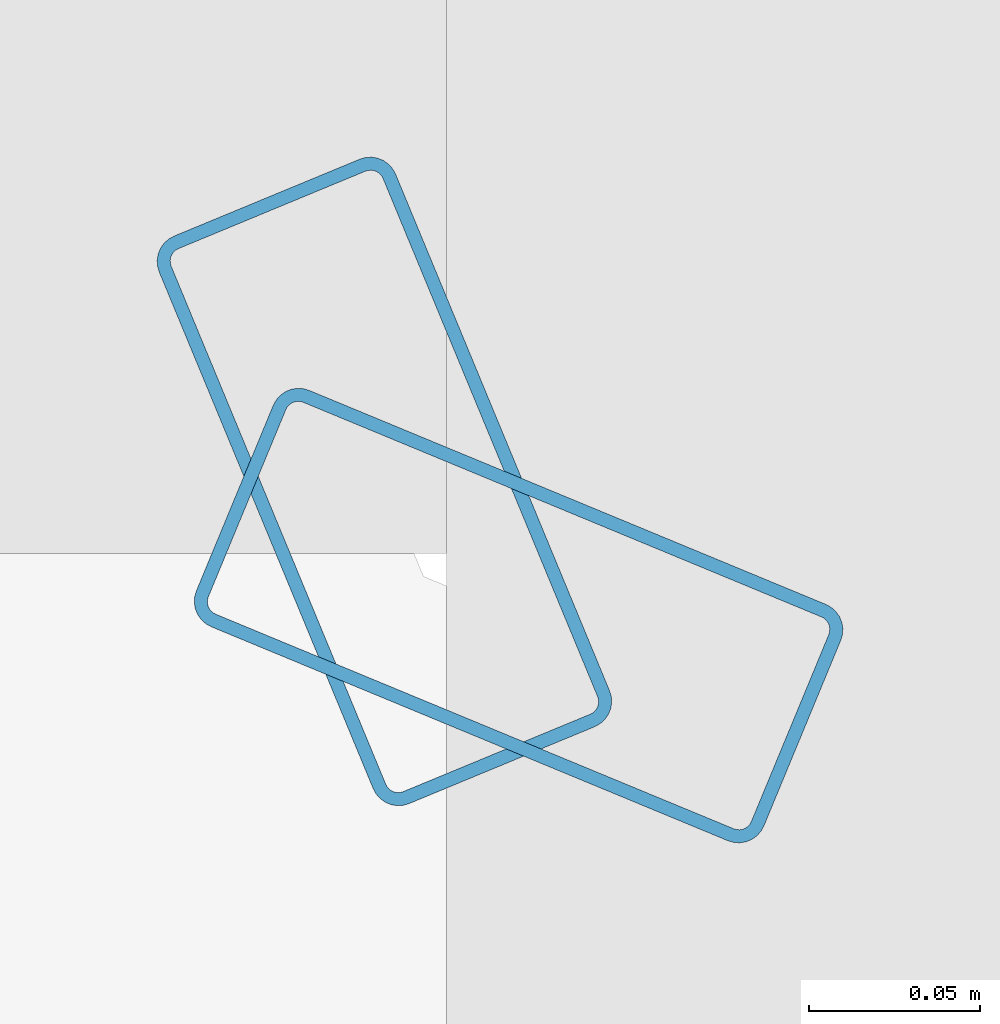
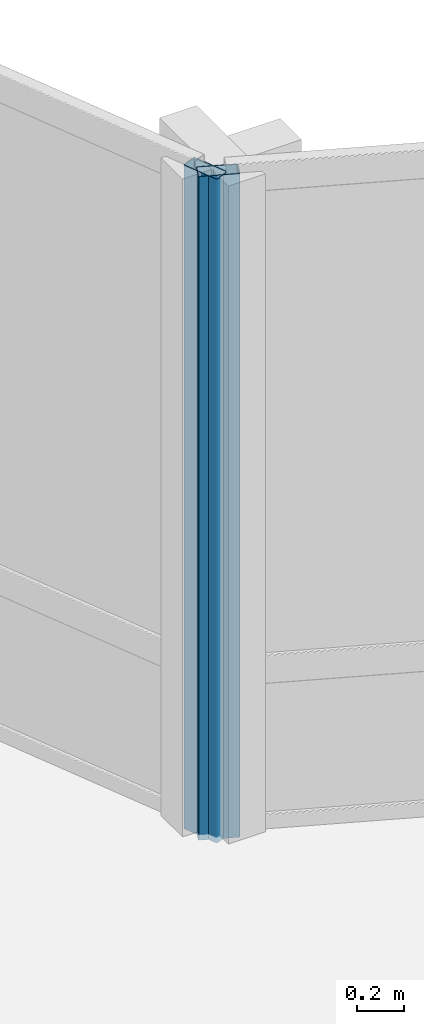
# One storey, part 8 of 34: 2 members, 2 elements without a shape of their own.
"""IFC4 building model written with IfcOpenShell, lengths in metres."""

import ifcopenshell
import ifcopenshell.guid

model = None  # the IFC model being written
_history = None  # IfcOwnerHistory: only IFC2X3 demands one
_inside = {}  # id of a spatial element -> (the spatial element, [elements in it])
_under = {}  # id of a project, library or spatial element -> (it, [spatial elements below it])
_declared = {}  # id of a project -> (the project, [libraries it declares])
_typed = {}  # id of a type object -> (the type object, [elements of that type])
_made_of = {}  # id of a material, layer set ... -> (it, [elements and type objects made of it])


def new_model(schema):
    """Start an empty IFC model of exactly this schema.

    Asked for "IFC4X3", IfcOpenShell would pick the latest addendum, in which some entities
    have other attributes; the version numbers below select the first issue.
    IFC2X3 requires an IfcOwnerHistory on every rooted entity: one is made here for all.
    """
    global model, _history
    if schema == "IFC4X3":
        model = ifcopenshell.file(schema_version=(4, 3, 0, 0))
    else:
        model = ifcopenshell.file(schema=schema)
    _inside.clear()
    _under.clear()
    _declared.clear()
    _typed.clear()
    _made_of.clear()
    _history = None
    if model.schema == "IFC2X3":
        org = make("IfcOrganization", Name="unknown")
        user = make(
            "IfcPersonAndOrganization",
            ThePerson=make("IfcPerson", FamilyName="unknown"),
            TheOrganization=org,
        )
        app = make(
            "IfcApplication",
            ApplicationDeveloper=org,
            Version="unknown",
            ApplicationFullName="unknown",
            ApplicationIdentifier="unknown",
        )
        _history = make(
            "IfcOwnerHistory",
            OwningUser=user,
            OwningApplication=app,
            ChangeAction="ADDED",
            CreationDate=0,
        )
    return model


def make(cls, **values):
    """One entity of the class cls with the attributes given. An attribute that is None is left unset."""
    return model.create_entity(
        cls, **{name: value for name, value in values.items() if value is not None}
    )


def rooted(cls, **values):
    """An entity with a GlobalId (a new one), such as an element, a storey or a relation."""
    return make(cls, GlobalId=ifcopenshell.guid.new(), OwnerHistory=_history, **values)


def si_unit(unit_type, name, prefix=None):
    """IfcSIUnit, for example si_unit("LENGTHUNIT", "METRE", prefix="MILLI")."""
    return make("IfcSIUnit", UnitType=unit_type, Prefix=prefix, Name=name)


def assignment(units):
    """IfcUnitAssignment: the units of a project."""
    return None if units is None else make("IfcUnitAssignment", Units=units)


def point(xyz):
    """IfcCartesianPoint."""
    return None if xyz is None else make("IfcCartesianPoint", Coordinates=xyz)


def direction(xyz):
    """IfcDirection."""
    return None if xyz is None else make("IfcDirection", DirectionRatios=xyz)


def frame(location, z_axis=None, x_axis=None):
    """IfcAxis2Placement3D, a coordinate frame: its origin and axes. An axis left out is left unset."""
    return make(
        "IfcAxis2Placement3D",
        Location=point(location),
        Axis=direction(z_axis),
        RefDirection=direction(x_axis),
    )


def frame_2d(location, x_axis=None):
    """IfcAxis2Placement2D, a coordinate frame in the plane: its origin and x axis."""
    return make(
        "IfcAxis2Placement2D", Location=point(location), RefDirection=direction(x_axis)
    )


def origin():
    """The frame at (0, 0, 0) with its axes left unset."""
    return frame((0.0, 0.0, 0.0))


def origin_2d():
    """The frame at (0, 0) in the plane with its x axis left unset."""
    return frame_2d((0.0, 0.0))


def place(relative_to, where):
    """IfcLocalPlacement: puts the frame where relative to a parent placement (None: the world)."""
    return make(
        "IfcLocalPlacement", PlacementRelTo=relative_to, RelativePlacement=where
    )


def context(
    kind, dimensions, precision=None, world=None, true_north=None, identifier=None
):
    """IfcGeometricRepresentationContext, for example the 3D "Model" context."""
    return make(
        "IfcGeometricRepresentationContext",
        ContextIdentifier=identifier,
        ContextType=kind,
        CoordinateSpaceDimension=dimensions,
        Precision=precision,
        WorldCoordinateSystem=world,
        TrueNorth=true_north,
    )


def subcontext(parent, identifier, kind, view, scale=None):
    """IfcGeometricRepresentationSubContext, for example "Body" below "Model"."""
    return make(
        "IfcGeometricRepresentationSubContext",
        ContextIdentifier=identifier,
        ContextType=kind,
        ParentContext=parent,
        TargetScale=scale,
        TargetView=view,
    )


def project(units=None, contexts=None):
    """IfcProject with its units and contexts."""
    return rooted(
        "IfcProject",
        Name="project",
        RepresentationContexts=contexts,
        UnitsInContext=assignment(units),
    )


def spatial(cls, under=None, at=None, **own):
    """A site, building, storey or space (cls), placed at a placement, below another one or the project."""
    s = rooted(cls, ObjectPlacement=at, **own)
    if under is not None:
        _under.setdefault(under.id(), (under, []))[1].append(s)
    return s


def profile(cls, at=None, kind="AREA", **sizes):
    """A parametric profile (cls). Its sizes go by their IFC names, for example OverallWidth=200.0."""
    return make(cls, ProfileType=kind, Position=at, **sizes)


def hollow_rectangle(**sizes):
    """IfcRectangleHollowProfileDef."""
    return profile("IfcRectangleHollowProfileDef", **sizes)


def extrude(swept, where, along, depth):
    """IfcExtrudedAreaSolid: the profile swept, set in the frame where, extruded along a direction by depth."""
    return make(
        "IfcExtrudedAreaSolid",
        SweptArea=swept,
        Position=where,
        ExtrudedDirection=direction(along),
        Depth=depth,
    )


def shape(context_of_items, identifier, shape_type, items):
    """IfcShapeRepresentation: the items that make up one representation, for example the "Body"."""
    return make(
        "IfcShapeRepresentation",
        ContextOfItems=context_of_items,
        RepresentationIdentifier=identifier,
        RepresentationType=shape_type,
        Items=items,
    )


def material(Name=None, Category=None):
    """IfcMaterial."""
    return make("IfcMaterial", Name=Name, Category=Category)


def layer(
    of_material, thickness, ventilated=None, Name=None, Category=None, Priority=None
):
    """IfcMaterialLayer: one layer of a wall or slab, of a material (None: an air gap)."""
    return make(
        "IfcMaterialLayer",
        Material=of_material,
        LayerThickness=thickness,
        IsVentilated=ventilated,
        Name=Name,
        Category=Category,
        Priority=Priority,
    )


def layer_set(layers, Name=None):
    """IfcMaterialLayerSet."""
    return make("IfcMaterialLayerSet", MaterialLayers=layers, LayerSetName=Name)


def material_profile(
    of_material, cross_section, Name=None, Category=None, Priority=None
):
    """IfcMaterialProfile: a cross section and its material."""
    return make(
        "IfcMaterialProfile",
        Name=Name,
        Material=of_material,
        Profile=cross_section,
        Priority=Priority,
        Category=Category,
    )


def profile_set(profiles, Name=None, composite=None):
    """IfcMaterialProfileSet."""
    return make(
        "IfcMaterialProfileSet",
        Name=Name,
        MaterialProfiles=profiles,
        CompositeProfile=composite,
    )


def made_of(thing, what):
    """Note that an element or type object is made of a material, layer set ...; save() writes the relation."""
    if what is not None:
        _made_of.setdefault(what.id(), (what, []))[1].append(thing)
    return thing


def type_object(cls, material=None, **own):
    """A type object (cls), such as IfcWallType, which elements share."""
    return made_of(rooted(cls, **own), material)


def element(
    cls,
    number,
    at=None,
    inside=None,
    cuts=None,
    type_object=None,
    material=None,
    context=None,
    identifier="Body",
    shape_type=None,
    held_by="IfcProductDefinitionShape",
    body=None,
    shapes=None,
    **own,
):
    """One element of the class cls, such as IfcWall. Its Tag is "e" and its number.

    at: its placement. inside: the storey or other place that contains it. cuts: it is an
    opening in that element (IfcRelVoidsElement). A single representation is given by context,
    identifier, shape_type and body (its items); several are given by shapes. held_by: the class
    of the entity that holds the representations. save() writes the other relations.
    """
    e = rooted(cls, Tag="e%d" % number, ObjectPlacement=at, **own)
    if body is not None:
        shapes = [shape(context, identifier, shape_type, body)]
    if shapes is not None:
        e.Representation = make(held_by, Representations=shapes)
    if inside is not None:
        _inside.setdefault(inside.id(), (inside, []))[1].append(e)
    if cuts is not None:
        rooted(
            "IfcRelVoidsElement", RelatingBuildingElement=cuts, RelatedOpeningElement=e
        )
    if type_object is not None:
        _typed.setdefault(type_object.id(), (type_object, []))[1].append(e)
    return made_of(e, material)


def aggregate(whole, parts):
    """IfcRelAggregates: a whole, such as a stair, and the parts it consists of."""
    return rooted("IfcRelAggregates", RelatingObject=whole, RelatedObjects=parts)


def save(model, path):
    """Write the relations noted so far, then the file.

    IfcRelAggregates (storeys below a building ...), IfcRelContainedInSpatialStructure (elements
    in a storey), IfcRelDefinesByType, IfcRelAssociatesMaterial and IfcRelDeclares: one each for
    every whole, place, type object, material and project.
    """
    for whole, parts in _under.values():
        aggregate(whole, parts)
    for where, things in _inside.values():
        rooted(
            "IfcRelContainedInSpatialStructure",
            RelatedElements=things,
            RelatingStructure=where,
        )
    for kind, things in _typed.values():
        rooted("IfcRelDefinesByType", RelatedObjects=things, RelatingType=kind)
    for what, things in _made_of.values():
        rooted("IfcRelAssociatesMaterial", RelatedObjects=things, RelatingMaterial=what)
    for by, libraries in _declared.values():
        rooted("IfcRelDeclares", RelatingContext=by, RelatedDefinitions=libraries)
    model.write(path)


model = new_model("IFC4")

# Units and contexts
model_context = context("Model", 3, precision=1e-05, world=origin(), true_north=direction((0.0, 1.0)))
body_context = subcontext(model_context, "Body", "Model", "MODEL_VIEW")
ifc_project = project(units=[si_unit("LENGTHUNIT", "METRE"), si_unit("AREAUNIT", "SQUARE_METRE"), si_unit("VOLUMEUNIT", "CUBIC_METRE"), si_unit("PLANEANGLEUNIT", "RADIAN"), si_unit("MASSUNIT", "GRAM", prefix="KILO")], contexts=[model_context])

# Site, building, storey
site_placement = place(None, origin())
site = spatial("IfcSite", under=ifc_project, at=site_placement, CompositionType="ELEMENT")
building_placement = place(site_placement, origin())
building = spatial("IfcBuilding", under=site, at=building_placement, Name="Solvaryn Broadcast Tower", CompositionType="ELEMENT")
storey_placement = place(building_placement, frame((0.0, 0.0, 89.10009765625)))
storey = spatial("IfcBuildingStorey", under=building, at=storey_placement, Name="L21", CompositionType="ELEMENT", Elevation=89.10009765625)

# Curtain wall, member
ifc_material_1 = material(Name="Aluminium and Terracotta Unitised Curtain Wall", Category="masonry")
ifc_layer = layer(ifc_material_1, 0.199951171875)
ifc_layer_set = layer_set([ifc_layer], Name="CW-SYS2-LOWMID")
curtain_wall_type = type_object("IfcCurtainWallType", Name="CW-SYS2-LOWMID", PredefinedType="NOTDEFINED", material=ifc_layer_set)
curtain_wall_1_placement = place(storey_placement, origin())
curtain_wall_1 = element("IfcCurtainWall", 1, at=curtain_wall_1_placement, inside=storey, type_object=curtain_wall_type, Name="L21 Curtain Wall CN1", PredefinedType="NOTDEFINED")
ifc_material_2 = material(Name="Anodised Aluminium 6063-T6", Category="aluminium")
ifc_material_profile = material_profile(ifc_material_2, hollow_rectangle(XDim=0.074951171875, YDim=0.179931640625, WallThickness=0.00390625, InnerFilletRadius=0.00390625, OuterFilletRadius=0.008056640625, at=origin_2d()))
ifc_profile_set = profile_set([ifc_material_profile], Name="Anodised Aluminium 6063-T6")
member_type = type_object("IfcMemberType", Name="CW-MUL-180", PredefinedType="MULLION", material=ifc_profile_set)
member_1_placement = place(storey_placement, frame((30.395751953125, 30.3564453125, 0.0), z_axis=(0.0, 0.0, 1.0), x_axis=(-0.382646127145, -0.923894983957, 0.0)))
member_1 = element("IfcMember", 2, at=member_1_placement, type_object=member_type, Name="CWS2 mullion 2", PredefinedType="MULLION", context=body_context, shape_type="SweptSolid", body=[
    extrude(hollow_rectangle(XDim=0.074951171875, YDim=0.179931640625, WallThickness=0.00390625, InnerFilletRadius=0.00390625, OuterFilletRadius=0.008056640625, at=origin_2d()), origin(), (0.0, 0.0, 1.0), 3.419921875),
])
aggregate(curtain_wall_1, [member_1])

curtain_wall_2_placement = place(storey_placement, origin())
curtain_wall_2 = element("IfcCurtainWall", 3, at=curtain_wall_2_placement, inside=storey, type_object=curtain_wall_type, Name="L21 Curtain Wall CN2", PredefinedType="NOTDEFINED")
member_2_placement = place(storey_placement, frame((30.3564453125, 30.395751953125, 0.0), z_axis=(0.0, 0.0, 1.0), x_axis=(-0.923894983957, -0.382646127145, 0.0)))
member_2 = element("IfcMember", 4, at=member_2_placement, type_object=member_type, Name="CWS2 mullion 1", PredefinedType="MULLION", context=body_context, shape_type="SweptSolid", body=[
    extrude(hollow_rectangle(XDim=0.074951171875, YDim=0.179931640625, WallThickness=0.00390625, InnerFilletRadius=0.00390625, OuterFilletRadius=0.008056640625, at=origin_2d()), origin(), (0.0, 0.0, 1.0), 3.419921875),
])
aggregate(curtain_wall_2, [member_2])

save(model, "model.ifc")
